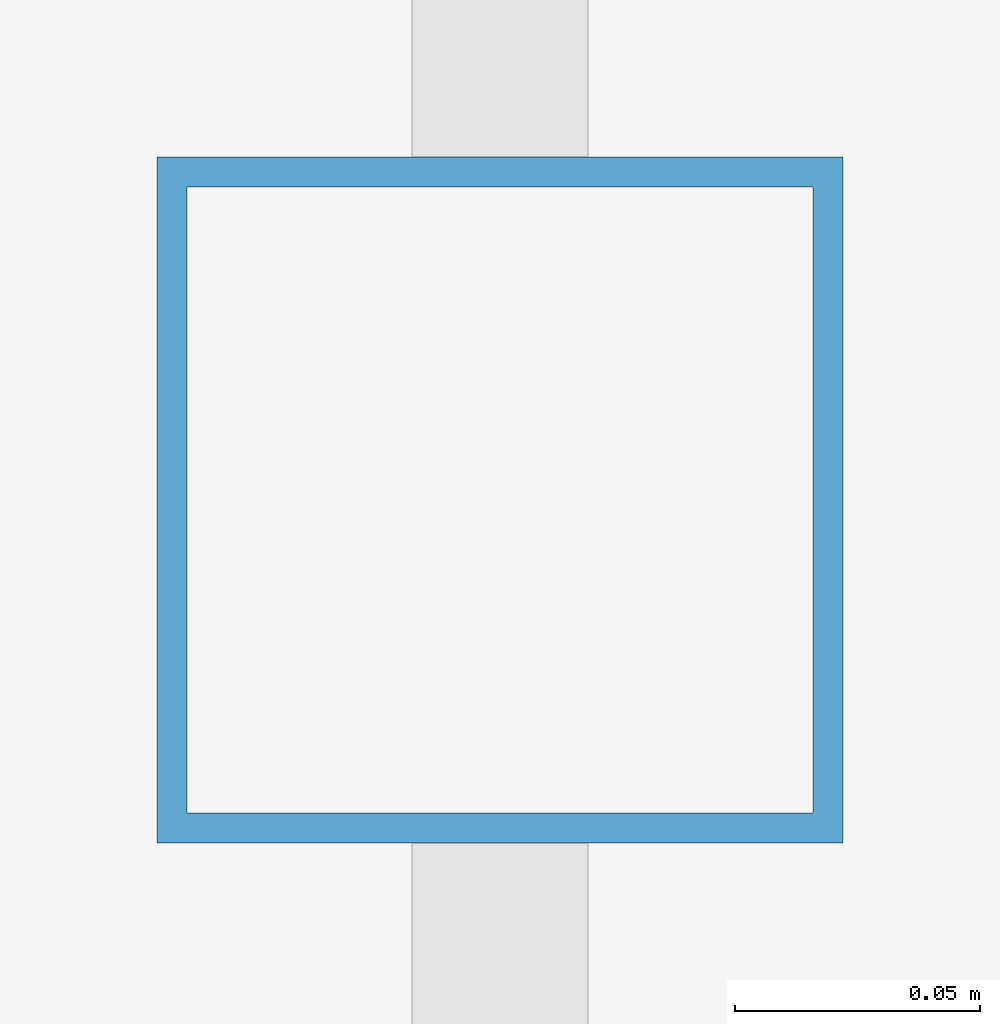
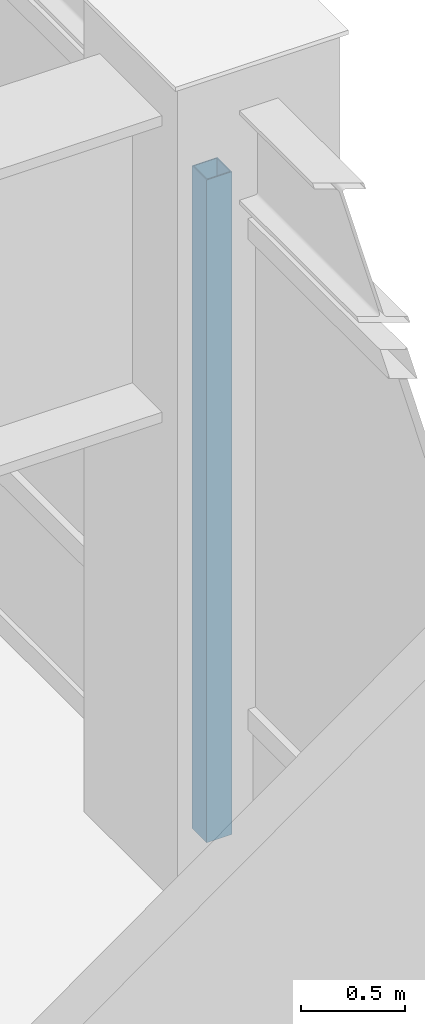
# One storey, part 12 of 31: 1 member, 1 element without a shape of its own.
"""IFC4 building model written with IfcOpenShell, lengths in metres."""

from ifc_helpers import new_model, si_unit, direction, frame, origin, origin_2d, place, context, subcontext, project, spatial, hollow_rectangle, extrude, source, transform, mapped, material, material_profile, profile_set, type_object, element, aggregate, save


model = new_model("IFC4")

# Units and contexts
model_context = context("Model", 3, precision=1e-05, world=origin(), true_north=direction((0.0, 1.0)))
body_context = subcontext(model_context, "Body", "Model", "MODEL_VIEW")
ifc_project = project(units=[si_unit("LENGTHUNIT", "METRE"), si_unit("AREAUNIT", "SQUARE_METRE"), si_unit("VOLUMEUNIT", "CUBIC_METRE"), si_unit("PLANEANGLEUNIT", "RADIAN"), si_unit("MASSUNIT", "GRAM", prefix="KILO")], contexts=[model_context])

# Site, building, storey
site_placement = place(None, origin())
site = spatial("IfcSite", under=ifc_project, at=site_placement, CompositionType="ELEMENT")
building_placement = place(site_placement, origin())
building = spatial("IfcBuilding", under=site, at=building_placement, Name="Khorayat Bourse Tower", CompositionType="ELEMENT")
storey_placement = place(building_placement, frame((0.0, 0.0, 321.5)))
storey = spatial("IfcBuildingStorey", under=building, at=storey_placement, Name="L76", CompositionType="ELEMENT", Elevation=321.5)

# Curtain wall, member
ifc_material = material(Name="Aluminium EN AW-6063 T6", Category="aluminium")
curtain_wall_type = type_object("IfcCurtainWallType", Name="CW-SYS-05", PredefinedType="NOTDEFINED", material=ifc_material)
curtain_wall_placement = place(storey_placement, origin())
curtain_wall = element("IfcCurtainWall", 1, at=curtain_wall_placement, inside=storey, type_object=curtain_wall_type, Name="L76 Curtain Wall CW-L76-E1", PredefinedType="NOTDEFINED")
ifc_material_profile = material_profile(ifc_material, hollow_rectangle(XDim=0.139892578125, YDim=0.139892578125, WallThickness=0.006103515625, at=origin_2d()), Name="ALU 140x140x6")
ifc_profile_set = profile_set([ifc_material_profile], Name="Aluminium EN AW-6063 T6")
member_type = type_object("IfcMemberType", Name="CWM-VERT-140", PredefinedType="MULLION", material=ifc_profile_set)
shared_shape = source(origin(), body_context, "Body", "SweptSolid", [
    extrude(hollow_rectangle(XDim=0.139892578125, YDim=0.139892578125, WallThickness=0.006103515625, at=origin_2d()), origin(), (0.0, 0.0, 1.0), 3.889892578125),
])
member_placement = place(storey_placement, frame((28.0, 0.0, 0.0), z_axis=(0.0, 0.0, 1.0), x_axis=(-1.0, 0.0, 0.0)))
member = element("IfcMember", 2, at=member_placement, type_object=member_type, Name="CW-L76-E1 Vertical Mullion 2", PredefinedType="MULLION", context=body_context, shape_type="MappedRepresentation", body=[
    mapped(shared_shape, transform((0.0, 0.0, 0.0), scale=1.0)),
])
aggregate(curtain_wall, [member])

save(model, "model.ifc")
